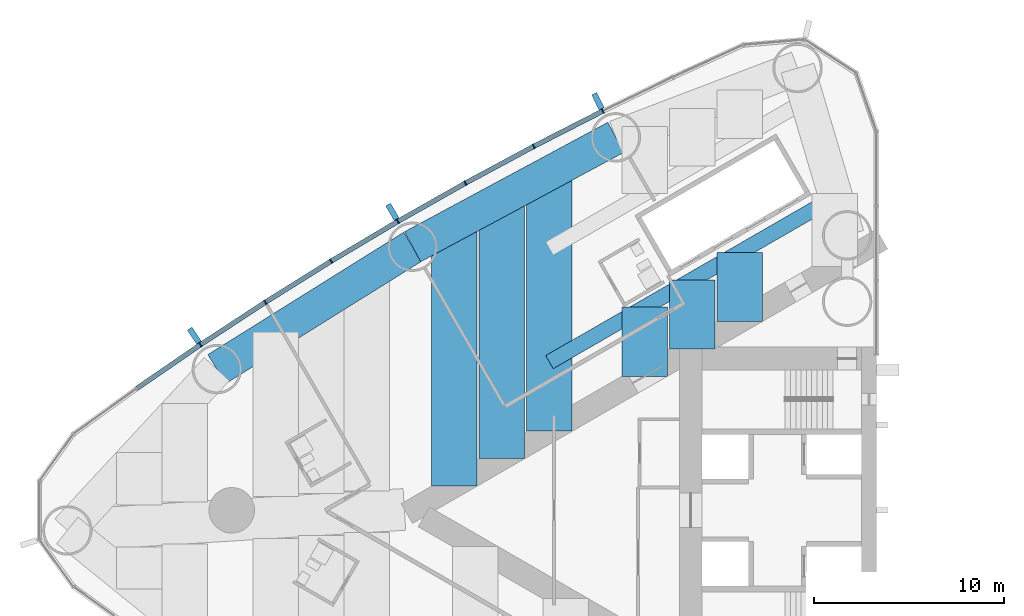
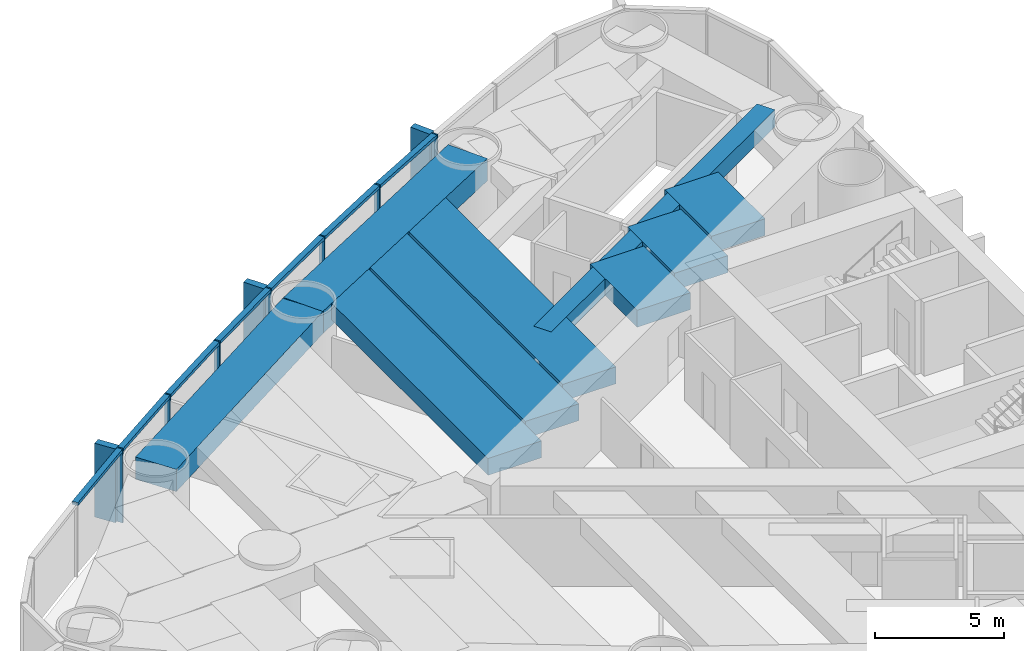
# One storey, part 4 of 18: 17 members, 9 beams, 1 element without a shape of its own.
"""IFC4 building model written with IfcOpenShell, lengths in metres."""

from ifc_helpers import new_model, si_unit, direction, frame, origin, origin_2d, place, context, subcontext, project, spatial, rectangle, hollow_rectangle, extrude, material, material_profile, profile_set, type_object, element, aggregate, save


model = new_model("IFC4")

# Units and contexts
model_context = context("Model", 3, precision=1e-05, world=origin(), true_north=direction((0.0, 1.0)))
body_context = subcontext(model_context, "Body", "Model", "MODEL_VIEW")
ifc_project = project(units=[si_unit("LENGTHUNIT", "METRE"), si_unit("AREAUNIT", "SQUARE_METRE"), si_unit("VOLUMEUNIT", "CUBIC_METRE"), si_unit("PLANEANGLEUNIT", "RADIAN"), si_unit("MASSUNIT", "GRAM", prefix="KILO")], contexts=[model_context])

# Site, building, storey
site_placement = place(None, origin())
site = spatial("IfcSite", under=ifc_project, at=site_placement, CompositionType="ELEMENT")
building_placement = place(site_placement, origin())
building = spatial("IfcBuilding", under=site, at=building_placement, Name="Lancet Gate Hotel", CompositionType="ELEMENT")
storey_placement = place(building_placement, frame((0.0, 0.0, 104.60009765625)))
storey = spatial("IfcBuildingStorey", under=building, at=storey_placement, Name="L27", CompositionType="ELEMENT", Elevation=104.60009765625)

# Curtain wall, members
ifc_material_1 = material(Name="Aluminium curtain wall", Category="aluminium")
curtain_wall_type = type_object("IfcCurtainWallType", Name="Tower unitised curtain wall", PredefinedType="USERDEFINED", material=ifc_material_1)
curtain_wall_placement = place(storey_placement, origin())
curtain_wall = element("IfcCurtainWall", 1, at=curtain_wall_placement, inside=storey, type_object=curtain_wall_type, Name="T1 L27 curtain wall 1", ObjectType="UNITISED CURTAIN WALL", PredefinedType="USERDEFINED")
ifc_material_2 = material(Name="Aluminium mullion", Category="aluminium")
ifc_material_profile_1 = material_profile(ifc_material_2, rectangle(XDim=0.06494140625, YDim=0.25, at=origin_2d()), Name="MULLION 65x250")
ifc_profile_set_1 = profile_set([ifc_material_profile_1], Name="Aluminium mullion")
member_type_1 = type_object("IfcMemberType", Name="Aluminium mullion 65x250", PredefinedType="MULLION", material=ifc_profile_set_1)
member_1_placement = place(storey_placement, frame((-41.935302734375, 21.053466796875, 0.0), z_axis=(0.0, 0.0, 1.0), x_axis=(-0.895339445458, -0.445384415317, 0.0)))
member_1 = element("IfcMember", 2, at=member_1_placement, type_object=member_type_1, Name="T1 L27 curtain wall 1 mullion 9", PredefinedType="MULLION", context=body_context, shape_type="SweptSolid", body=[
    extrude(rectangle(XDim=0.06494140625, YDim=0.25, at=origin_2d()), origin(), (0.0, 0.0, 1.0), 3.5),
])
member_2_placement = place(storey_placement, frame((-45.578857421875, 19.19189453125, 0.0), z_axis=(0.0, 0.0, 1.0), x_axis=(-0.885544335517, -0.46455487279, 0.0)))
member_2 = element("IfcMember", 3, at=member_2_placement, type_object=member_type_1, Name="T1 L27 curtain wall 1 mullion 10", PredefinedType="MULLION", context=body_context, shape_type="SweptSolid", body=[
    extrude(rectangle(XDim=0.06494140625, YDim=0.25, at=origin_2d()), origin(), (0.0, 0.0, 1.0), 3.5),
])
member_3_placement = place(storey_placement, frame((-49.181640625, 17.252197265625, 0.0), z_axis=(0.0, 0.0, 1.0), x_axis=(-0.875338819507, -0.48351003202, 0.0)))
member_3 = element("IfcMember", 4, at=member_3_placement, type_object=member_type_1, Name="T1 L27 curtain wall 1 mullion 11", PredefinedType="MULLION", context=body_context, shape_type="SweptSolid", body=[
    extrude(rectangle(XDim=0.06494140625, YDim=0.25, at=origin_2d()), origin(), (0.0, 0.0, 1.0), 3.5),
])
member_4_placement = place(storey_placement, frame((-52.74169921875, 15.2353515625, 0.0), z_axis=(0.0, 0.0, 1.0), x_axis=(-0.86472762718, -0.502241108226, 0.0)))
member_4 = element("IfcMember", 5, at=member_4_placement, type_object=member_type_1, Name="T1 L27 curtain wall 1 mullion 12", PredefinedType="MULLION", context=body_context, shape_type="SweptSolid", body=[
    extrude(rectangle(XDim=0.06494140625, YDim=0.25, at=origin_2d()), origin(), (0.0, 0.0, 1.0), 3.5),
])
member_5_placement = place(storey_placement, frame((-56.257568359375, 13.142333984375, 0.0), z_axis=(0.0, 0.0, 1.0), x_axis=(-0.853715676299, -0.52073942048, 0.0)))
member_5 = element("IfcMember", 6, at=member_5_placement, type_object=member_type_1, Name="T1 L27 curtain wall 1 mullion 13", PredefinedType="MULLION", context=body_context, shape_type="SweptSolid", body=[
    extrude(rectangle(XDim=0.06494140625, YDim=0.25, at=origin_2d()), origin(), (0.0, 0.0, 1.0), 3.5),
])
member_6_placement = place(storey_placement, frame((-59.7275390625, 10.974365234375, 0.0), z_axis=(0.0, 0.0, 1.0), x_axis=(-0.84230807036, -0.538996395727, 0.0)))
member_6 = element("IfcMember", 7, at=member_6_placement, type_object=member_type_1, Name="T1 L27 curtain wall 1 mullion 14", PredefinedType="MULLION", context=body_context, shape_type="SweptSolid", body=[
    extrude(rectangle(XDim=0.06494140625, YDim=0.25, at=origin_2d()), origin(), (0.0, 0.0, 1.0), 3.5),
])
member_7_placement = place(storey_placement, frame((-63.14990234375, 8.73193359375, 0.0), z_axis=(0.0, 0.0, 1.0), x_axis=(-0.830510096234, -0.557003572747, 0.0)))
member_7 = element("IfcMember", 8, at=member_7_placement, type_object=member_type_1, Name="T1 L27 curtain wall 1 mullion 15", PredefinedType="MULLION", context=body_context, shape_type="SweptSolid", body=[
    extrude(rectangle(XDim=0.06494140625, YDim=0.25, at=origin_2d()), origin(), (0.0, 0.0, 1.0), 3.5),
])
ifc_material_3 = material(Name="Aluminium transom", Category="aluminium")
ifc_material_profile_2 = material_profile(ifc_material_3, rectangle(XDim=0.25, YDim=0.14990234375, at=origin_2d()), Name="TRANSOM 250x150")
ifc_profile_set_2 = profile_set([ifc_material_profile_2], Name="Aluminium transom")
member_type_2 = type_object("IfcMemberType", Name="Aluminium transom 250x150", PredefinedType="USERDEFINED", material=ifc_profile_set_2)
member_8_placement = place(storey_placement, frame((-41.96435546875, 21.038818359375, 3.4248046875), z_axis=(-0.89047617483, -0.455029869415, 0.0), x_axis=(0.455029869415, -0.89047617483, 0.0)))
member_8 = element("IfcMember", 9, at=member_8_placement, type_object=member_type_2, Name="T1 L27 curtain wall 1 transom 9", ObjectType="TRANSOM", PredefinedType="USERDEFINED", context=body_context, shape_type="SweptSolid", body=[
    extrude(rectangle(XDim=0.25, YDim=0.14990234375, at=origin_2d()), origin(), (0.0, 0.0, 1.0), 4.026611328125),
])
member_9_placement = place(storey_placement, frame((-45.607421875, 19.176513671875, 3.4248046875), z_axis=(-0.880498353192, -0.474049206335, 0.0), x_axis=(0.474049206335, -0.880498353192, 0.0)))
member_9 = element("IfcMember", 10, at=member_9_placement, type_object=member_type_2, Name="T1 L27 curtain wall 1 transom 10", ObjectType="TRANSOM", PredefinedType="USERDEFINED", context=body_context, shape_type="SweptSolid", body=[
    extrude(rectangle(XDim=0.25, YDim=0.14990234375, at=origin_2d()), origin(), (0.0, 0.0, 1.0), 4.02685546875),
])
member_10_placement = place(storey_placement, frame((-49.2099609375, 17.236083984375, 3.4248046875), z_axis=(-0.870091531013, -0.492890178091, 0.0), x_axis=(0.492890178091, -0.870091531013, 0.0)))
member_10 = element("IfcMember", 11, at=member_10_placement, type_object=member_type_2, Name="T1 L27 curtain wall 1 transom 11", ObjectType="TRANSOM", PredefinedType="USERDEFINED", context=body_context, shape_type="SweptSolid", body=[
    extrude(rectangle(XDim=0.25, YDim=0.14990234375, at=origin_2d()), origin(), (0.0, 0.0, 1.0), 4.026611328125),
])
member_11_placement = place(storey_placement, frame((-52.76953125, 15.21875, 3.4248046875), z_axis=(-0.859285270342, -0.511496651186, 0.0), x_axis=(0.511496651186, -0.859285270342, 0.0)))
member_11 = element("IfcMember", 12, at=member_11_placement, type_object=member_type_2, Name="T1 L27 curtain wall 1 transom 12", ObjectType="TRANSOM", PredefinedType="USERDEFINED", context=body_context, shape_type="SweptSolid", body=[
    extrude(rectangle(XDim=0.25, YDim=0.14990234375, at=origin_2d()), origin(), (0.0, 0.0, 1.0), 4.026611328125),
])
member_12_placement = place(storey_placement, frame((-56.28515625, 13.125244140625, 3.4248046875), z_axis=(-0.848049393821, -0.529917187531, 0.0), x_axis=(0.529917187531, -0.848049393821, 0.0)))
member_12 = element("IfcMember", 13, at=member_12_placement, type_object=member_type_2, Name="T1 L27 curtain wall 1 transom 13", ObjectType="TRANSOM", PredefinedType="USERDEFINED", context=body_context, shape_type="SweptSolid", body=[
    extrude(rectangle(XDim=0.25, YDim=0.14990234375, at=origin_2d()), origin(), (0.0, 0.0, 1.0), 4.026611328125),
])
member_13_placement = place(storey_placement, frame((-59.754638671875, 10.95654296875, 3.4248046875), z_axis=(-0.83645442085, -0.548036496815, 0.0), x_axis=(0.548036496815, -0.83645442085, 0.0)))
member_13 = element("IfcMember", 14, at=member_13_placement, type_object=member_type_2, Name="T1 L27 curtain wall 1 transom 14", ObjectType="TRANSOM", PredefinedType="USERDEFINED", context=body_context, shape_type="SweptSolid", body=[
    extrude(rectangle(XDim=0.25, YDim=0.14990234375, at=origin_2d()), origin(), (0.0, 0.0, 1.0), 4.026611328125),
])
member_14_placement = place(storey_placement, frame((-63.1767578125, 8.713623046875, 3.4248046875), z_axis=(-0.824455665247, -0.565926546508, 0.0), x_axis=(0.565926546508, -0.824455665247, 0.0)))
member_14 = element("IfcMember", 15, at=member_14_placement, type_object=member_type_2, Name="T1 L27 curtain wall 1 transom 15", ObjectType="TRANSOM", PredefinedType="USERDEFINED", context=body_context, shape_type="SweptSolid", body=[
    extrude(rectangle(XDim=0.25, YDim=0.14990234375, at=origin_2d()), origin(), (0.0, 0.0, 1.0), 4.026611328125),
])

# Beams
ifc_material_4 = material(Name="Concrete C50/60", Category="concrete")
ifc_material_profile_3 = material_profile(ifc_material_4, rectangle(XDim=1.800048828125, YDim=1.050048828125, at=origin_2d()), Name="RC 1800x1050")
ifc_profile_set_3 = profile_set([ifc_material_profile_3], Name="Concrete C50/60")
beam_type_1 = type_object("IfcBeamType", Name="Edge beam RC 1800x1050", PredefinedType="SPANDREL", material=ifc_profile_set_3)
for number, where, z_axis, x_axis, name in (
    (16, (-41.244873046875, 19.665771484375, 2.724853515625), (-0.880492350889, -0.474060354835, 0.0), (0.474060354835, -0.880492350889, 0.0), "T1 edge beam EB1 L27"),
    (17, (-51.963134765625, 13.89501953125, 2.724853515625), (-0.848062521637, -0.529896177939, 0.0), (0.529896177939, -0.848062521637, 0.0), "T1 edge beam EB1 L27"),
):
    element("IfcBeam", number, at=place(storey_placement, frame(where, z_axis=z_axis, x_axis=x_axis)), inside=storey, type_object=beam_type_1, Name=name, PredefinedType="SPANDREL", context=body_context, shape_type="SweptSolid", body=[
        extrude(rectangle(XDim=1.800048828125, YDim=1.050048828125, at=origin_2d()), origin(), (0.0, 0.0, 1.0), 12.173095703125),
    ])

# Member
ifc_material_5 = material(Name="Precast concrete C50/60", Category="concrete")
ifc_material_profile_4 = material_profile(ifc_material_5, rectangle(XDim=0.300048828125, YDim=0.89990234375, at=origin_2d()), Name="FIN 300x900")
ifc_profile_set_4 = profile_set([ifc_material_profile_4], Name="Precast concrete C50/60")
member_type_3 = type_object("IfcMemberType", Name="Exposed concrete fin 300x900", PredefinedType="USERDEFINED", material=ifc_profile_set_4)
member_15_placement = place(storey_placement, frame((-42.19140625, 21.568359375, 0.0), z_axis=(0.0, 0.0, 1.0), x_axis=(-0.895339445458, -0.445384415317, 0.0)))
member_15 = element("IfcMember", 18, at=member_15_placement, type_object=member_type_3, Name="T1 L27 curtain wall 1 fin 9", ObjectType="FIN", PredefinedType="USERDEFINED", context=body_context, shape_type="SweptSolid", body=[
    extrude(rectangle(XDim=0.300048828125, YDim=0.89990234375, at=origin_2d()), origin(), (0.0, 0.0, 1.0), 3.5),
])

member_16_placement = place(storey_placement, frame((-53.030517578125, 15.732666015625, 0.0), z_axis=(0.0, 0.0, 1.0), x_axis=(-0.86472762718, -0.502241108226, 0.0)))
member_16 = element("IfcMember", 19, at=member_16_placement, type_object=member_type_3, Name="T1 L27 curtain wall 1 fin 12", ObjectType="FIN", PredefinedType="USERDEFINED", context=body_context, shape_type="SweptSolid", body=[
    extrude(rectangle(XDim=0.300048828125, YDim=0.89990234375, at=origin_2d()), origin(), (0.0, 0.0, 1.0), 3.5),
])

member_17_placement = place(storey_placement, frame((-63.47021484375, 9.20947265625, 0.0), z_axis=(0.0, 0.0, 1.0), x_axis=(-0.830510096234, -0.557003572747, 0.0)))
member_17 = element("IfcMember", 20, at=member_17_placement, type_object=member_type_3, Name="T1 L27 curtain wall 1 fin 15", ObjectType="FIN", PredefinedType="USERDEFINED", context=body_context, shape_type="SweptSolid", body=[
    extrude(rectangle(XDim=0.300048828125, YDim=0.89990234375, at=origin_2d()), origin(), (0.0, 0.0, 1.0), 3.5),
])

aggregate(curtain_wall, [member_1, member_15, member_2, member_3, member_4, member_16, member_5, member_6, member_7, member_17, member_8, member_9, member_10, member_11, member_12, member_13, member_14])

# Beams
ifc_material_6 = material(Name="Concrete C50/60", Category="concrete")
ifc_material_profile_5 = material_profile(ifc_material_6, rectangle(XDim=2.39990234375, YDim=0.800048828125, at=origin_2d()), Name="RC 2400x800")
ifc_profile_set_5 = profile_set([ifc_material_profile_5], Name="Concrete C50/60")
beam_type_2 = type_object("IfcBeamType", Name="Floor beam RC 2400x800", PredefinedType="BEAM", material=ifc_profile_set_5)
beam_1_placement = place(storey_placement, frame((-44.747802734375, 17.77978515625, 2.849853515625), z_axis=(0.0, -1.0, 0.0), x_axis=(1.0, 0.0, 0.0)))
element("IfcBeam", 21, at=beam_1_placement, inside=storey, type_object=beam_type_2, Name="T1 floor beam F09S L27", PredefinedType="BEAM", context=body_context, shape_type="SweptSolid", body=[
    extrude(rectangle(XDim=2.39990234375, YDim=0.800048828125, at=origin_2d()), origin(), (0.0, 0.0, 1.0), 13.611083984375),
])
beam_2_placement = place(storey_placement, frame((-47.254638671875, 16.43017578125, 2.849853515625), z_axis=(0.0, -1.0, 0.0), x_axis=(1.0, 0.0, 0.0)))
element("IfcBeam", 22, at=beam_2_placement, inside=storey, type_object=beam_type_2, Name="T1 floor beam F10S L27", PredefinedType="BEAM", context=body_context, shape_type="SweptSolid", body=[
    extrude(rectangle(XDim=2.39990234375, YDim=0.800048828125, at=origin_2d()), origin(), (0.0, 0.0, 1.0), 13.708740234375),
])
beam_3_placement = place(storey_placement, frame((-49.761474609375, 15.08056640625, 2.849853515625), z_axis=(0.0, -1.0, 0.0), x_axis=(1.0, 0.0, 0.0)))
element("IfcBeam", 23, at=beam_3_placement, inside=storey, type_object=beam_type_2, Name="T1 floor beam F12S L27", PredefinedType="BEAM", context=body_context, shape_type="SweptSolid", body=[
    extrude(rectangle(XDim=2.39990234375, YDim=0.800048828125, at=origin_2d()), origin(), (0.0, 0.0, 1.0), 13.806396484375),
])
beam_4_placement = place(storey_placement, frame((-34.720458984375, 13.603759765625, 2.849853515625), z_axis=(0.0, -1.0, 0.0), x_axis=(1.0, 0.0, 0.0)))
element("IfcBeam", 24, at=beam_4_placement, inside=storey, type_object=beam_type_2, Name="T1 floor beam F04SB L27", PredefinedType="BEAM", context=body_context, shape_type="SweptSolid", body=[
    extrude(rectangle(XDim=2.39990234375, YDim=0.800048828125, at=origin_2d()), origin(), (0.0, 0.0, 1.0), 3.645751953125),
])
beam_5_placement = place(storey_placement, frame((-37.227294921875, 12.15625, 2.849853515625), z_axis=(0.0, -1.0, 0.0), x_axis=(1.0, 0.0, 0.0)))
element("IfcBeam", 25, at=beam_5_placement, inside=storey, type_object=beam_type_2, Name="T1 floor beam F05SB L27", PredefinedType="BEAM", context=body_context, shape_type="SweptSolid", body=[
    extrude(rectangle(XDim=2.39990234375, YDim=0.800048828125, at=origin_2d()), origin(), (0.0, 0.0, 1.0), 3.6455078125),
])
beam_6_placement = place(storey_placement, frame((-39.734130859375, 10.708740234375, 2.849853515625), z_axis=(0.0, -1.0, 0.0), x_axis=(1.0, 0.0, 0.0)))
element("IfcBeam", 26, at=beam_6_placement, inside=storey, type_object=beam_type_2, Name="T1 floor beam F07SB L27", PredefinedType="BEAM", context=body_context, shape_type="SweptSolid", body=[
    extrude(rectangle(XDim=2.39990234375, YDim=0.800048828125, at=origin_2d()), origin(), (0.0, 0.0, 1.0), 3.645263671875),
])
ifc_material_7 = material(Name="Steel S460QL", Category="steel")
ifc_material_profile_6 = material_profile(ifc_material_7, hollow_rectangle(XDim=0.800048828125, YDim=0.800048828125, WallThickness=0.080078125, at=origin_2d()), Name="BOX 800x800x80")
ifc_profile_set_6 = profile_set([ifc_material_profile_6], Name="Steel S460QL")
beam_type_3 = type_object("IfcBeamType", Name="Trimmer beam BOX 800x800x80", PredefinedType="BEAM", material=ifc_profile_set_6)
beam_7_placement = place(storey_placement, frame((-29.706787109375, 16.49853515625, 2.849853515625), z_axis=(-0.866003462672, -0.500038001195, 0.0), x_axis=(0.500038001195, -0.866003462672, 0.0)))
element("IfcBeam", 27, at=beam_7_placement, inside=storey, type_object=beam_type_3, Name="T1 trimmer beam TR02S L27", PredefinedType="BEAM", context=body_context, shape_type="SweptSolid", body=[
    extrude(hollow_rectangle(XDim=0.800048828125, YDim=0.800048828125, WallThickness=0.080078125, at=origin_2d()), origin(), (0.0, 0.0, 1.0), 17.368408203125),
])

save(model, "model.ifc")
